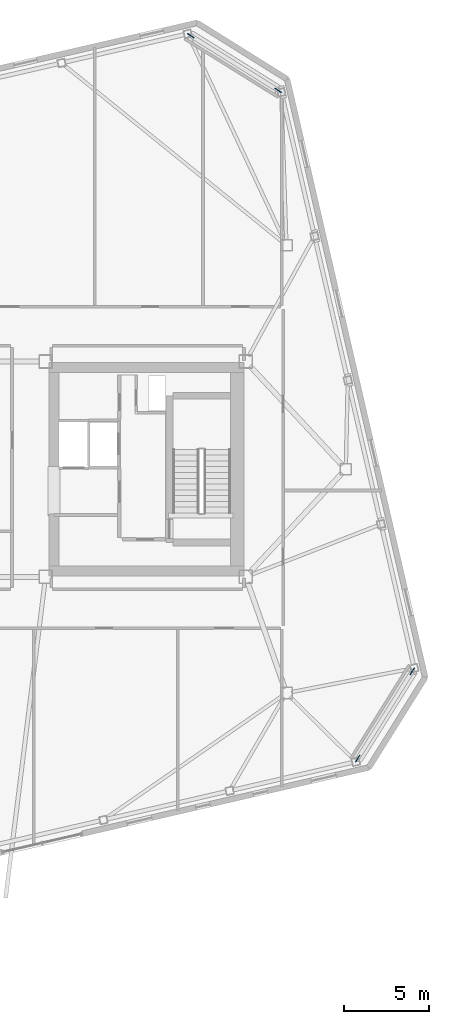
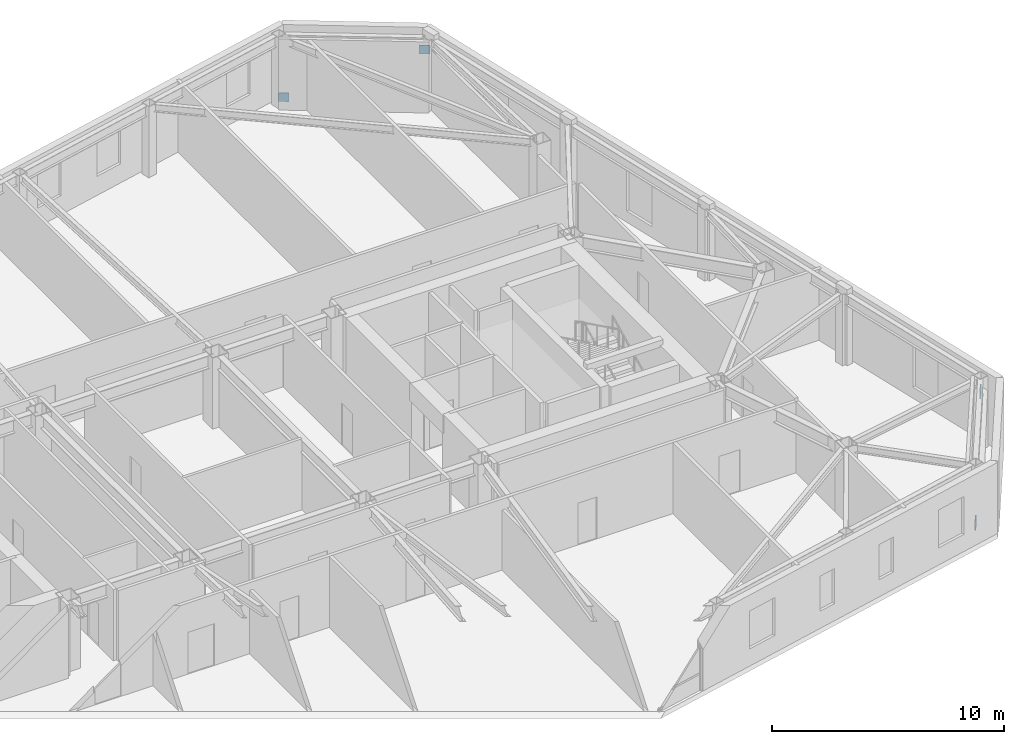
# One storey, part 20 of 21: 4 discrete accessories.
"""IFC4 building model written with IfcOpenShell, lengths in metres."""

from ifc_helpers import new_model, si_unit, direction, frame, origin, origin_2d, place, context, subcontext, project, spatial, rectangle, extrude, material, type_object, element, save


model = new_model("IFC4")

# Units and contexts
model_context = context("Model", 3, precision=1e-05, world=origin(), true_north=direction((0.0, 1.0)))
body_context = subcontext(model_context, "Body", "Model", "MODEL_VIEW")
ifc_project = project(units=[si_unit("LENGTHUNIT", "METRE"), si_unit("AREAUNIT", "SQUARE_METRE"), si_unit("VOLUMEUNIT", "CUBIC_METRE"), si_unit("PLANEANGLEUNIT", "RADIAN"), si_unit("MASSUNIT", "GRAM", prefix="KILO")], contexts=[model_context])

# Site, building, storey
site_placement = place(None, origin())
site = spatial("IfcSite", under=ifc_project, at=site_placement, CompositionType="ELEMENT")
building_placement = place(site_placement, origin())
building = spatial("IfcBuilding", under=site, at=building_placement, Name="Tavrogorsk Clinical Tower", CompositionType="ELEMENT")
storey_placement = place(building_placement, frame((0.0, 0.0, 285.0)))
storey = spatial("IfcBuildingStorey", under=building, at=storey_placement, Name="L66", CompositionType="ELEMENT", Elevation=285.0)

# Discrete accessories
ifc_material = material(Name="Structural steel S440", Category="steel")
discrete_accessory_type = type_object("IfcDiscreteAccessoryType", Name="GussetPlateBracket_25", PredefinedType="BRACKET", material=ifc_material)
for number, where, z_axis, x_axis, name in (
    (1, (28.70166015625, -17.063720703125, 0.163330078125), (0.0, 0.0, 1.0), (0.529919264233, 0.848048096156, 0.0), "L66 Brace Gusset Plate EXOCRN-L66-1-A"),
    (2, (31.9228515625, -11.9091796875, 2.81689453125), (0.0, 0.0, 1.0), (0.529919264233, 0.848048096156, 0.0), "L66 Brace Gusset Plate EXOCRN-L66-1-B"),
    (3, (18.86279296875, 25.55322265625, 0.163330078125), (0.0, 0.0, 1.0), (0.848048096156, -0.529919264233, 0.0), "L66 Brace Gusset Plate EXOCRN-L66-2-A"),
    (4, (24.017578125, 22.332275390625, 2.81689453125), (0.0, 0.0, 1.0), (0.848048096156, -0.529919264233, 0.0), "L66 Brace Gusset Plate EXOCRN-L66-2-B"),
):
    element("IfcDiscreteAccessory", number, at=place(storey_placement, frame(where, z_axis=z_axis, x_axis=x_axis)), inside=storey, type_object=discrete_accessory_type, Name=name, PredefinedType="BRACKET", context=body_context, shape_type="SweptSolid", body=[
        extrude(rectangle(XDim=0.4599609375, YDim=0.0400390625, at=origin_2d()), origin(), (0.0, 0.0, 1.0), 0.4599609375),
    ])

save(model, "model.ifc")
